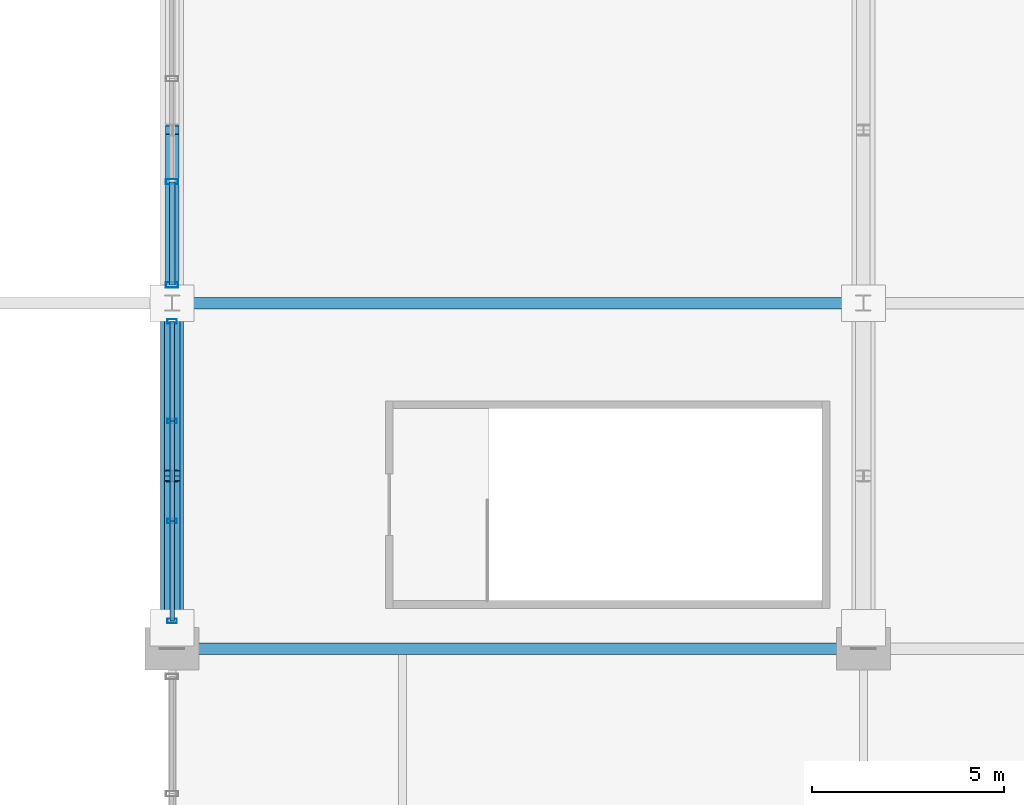
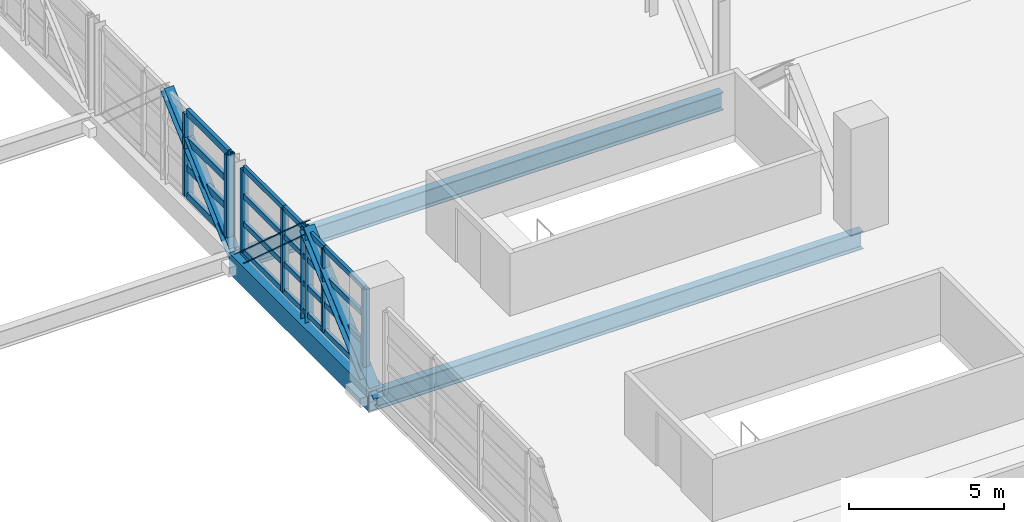
# One storey, part 25 of 136: 26 members, 3 beams, 2 elements without a shape of their own.
"""IFC4 building model written with IfcOpenShell, lengths in metres."""

from ifc_helpers import new_model, si_unit, direction, frame, origin, origin_2d, place, context, subcontext, project, spatial, hollow_rectangle, i_section, extrude, material, material_profile, profile_set, type_object, element, aggregate, save


model = new_model("IFC4")

# Units and contexts
model_context = context("Model", 3, precision=1e-05, world=origin(), true_north=direction((0.0, 1.0)))
body_context = subcontext(model_context, "Body", "Model", "MODEL_VIEW")
ifc_project = project(units=[si_unit("LENGTHUNIT", "METRE"), si_unit("AREAUNIT", "SQUARE_METRE"), si_unit("VOLUMEUNIT", "CUBIC_METRE"), si_unit("PLANEANGLEUNIT", "RADIAN"), si_unit("MASSUNIT", "GRAM", prefix="KILO")], contexts=[model_context])

# Site, building, storey
site_placement = place(None, origin())
site = spatial("IfcSite", under=ifc_project, at=site_placement, CompositionType="ELEMENT")
building_placement = place(site_placement, origin())
building = spatial("IfcBuilding", under=site, at=building_placement, Name="Chuanluo Vaults Station", CompositionType="ELEMENT")
storey_placement = place(building_placement, frame((0.0, 0.0, 6.60009765625)))
storey = spatial("IfcBuildingStorey", under=building, at=storey_placement, Name="L01", CompositionType="ELEMENT", Elevation=6.60009765625)

# Beams
ifc_material_1 = material(Name="Steel Q355C", Category="steel")
ifc_material_profile_1 = material_profile(ifc_material_1, i_section(OverallWidth=0.300048828125, OverallDepth=0.699951171875, WebThickness=0.012939453125, FlangeThickness=0.02392578125, FilletRadius=0.02197265625, at=origin_2d()))
ifc_profile_set_1 = profile_set([ifc_material_profile_1], Name="Steel Q355C")
beam_type_1 = type_object("IfcBeamType", Name="BM-GRD-700", PredefinedType="USERDEFINED", material=ifc_profile_set_1)
for number, where, z_axis, x_axis, name in (
    (1, (18.0, 67.5, -0.630126953125), (1.0, 0.0, 0.0), (0.0, 1.0, 0.0), "Floor girder BM:GX:L01:0334"),
    (2, (18.0, 76.5, -0.630126953125), (1.0, 0.0, 0.0), (0.0, 1.0, 0.0), "Over-track concourse floor girder 2-76"),
):
    element("IfcBeam", number, at=place(storey_placement, frame(where, z_axis=z_axis, x_axis=x_axis)), inside=storey, type_object=beam_type_1, Name=name, ObjectType="GIRDER", PredefinedType="USERDEFINED", context=body_context, shape_type="SweptSolid", body=[
        extrude(i_section(OverallWidth=0.300048828125, OverallDepth=0.699951171875, WebThickness=0.012939453125, FlangeThickness=0.02392578125, FilletRadius=0.02197265625, at=origin_2d()), origin(), (0.0, 0.0, 1.0), 18.0),
    ])
ifc_material_2 = material(Name="Steel Q390C", Category="steel")
ifc_material_profile_2 = material_profile(ifc_material_2, hollow_rectangle(XDim=0.60009765625, YDim=0.800048828125, WallThickness=0.031982421875, at=origin_2d()))
ifc_profile_set_2 = profile_set([ifc_material_profile_2], Name="Steel Q390C")
beam_type_2 = type_object("IfcBeamType", Name="BM-TT-BOT", PredefinedType="USERDEFINED", material=ifc_profile_set_2)
beam_placement = place(storey_placement, frame((18.0, 67.5, -0.68017578125), z_axis=(0.0, 1.0, 0.0), x_axis=(-1.0, 0.0, 0.0)))
element("IfcBeam", 3, at=beam_placement, inside=storey, type_object=beam_type_2, Name="Transfer truss TT-2 bottom chord 1", ObjectType="GIRDER", PredefinedType="USERDEFINED", context=body_context, shape_type="SweptSolid", body=[
    extrude(hollow_rectangle(XDim=0.60009765625, YDim=0.800048828125, WallThickness=0.031982421875, at=origin_2d()), origin(), (0.0, 0.0, 1.0), 9.0),
])

# Curtain wall, members
ifc_material_3 = material(Name="Anodised aluminium 6063-T6", Category="aluminium")
curtain_wall_type_1 = type_object("IfcCurtainWallType", Name="CW-SYS-23", PredefinedType="NOTDEFINED", material=ifc_material_3)
curtain_wall_1_placement = place(storey_placement, origin())
curtain_wall_1 = element("IfcCurtainWall", 4, at=curtain_wall_1_placement, inside=storey, type_object=curtain_wall_type_1, Name="Over-track west hall CW 67", PredefinedType="NOTDEFINED")
ifc_material_4 = material(Name="Anodised aluminium 6063-T6", Category="aluminium")
ifc_material_profile_3 = material_profile(ifc_material_4, hollow_rectangle(XDim=0.1201171875, YDim=0.25, WallThickness=0.006103515625, at=origin_2d()))
ifc_profile_set_3 = profile_set([ifc_material_profile_3], Name="Anodised aluminium 6063-T6")
member_type_1 = type_object("IfcMemberType", Name="CWM-160", PredefinedType="MULLION", material=ifc_profile_set_3)
member_1_placement = place(storey_placement, frame((18.0, 68.22509765625, 0.0), z_axis=(0.0, 0.0, 1.0), x_axis=(0.0, 1.0, 0.0)))
member_1 = element("IfcMember", 5, at=member_1_placement, type_object=member_type_1, Name="Over-track west hall CW 67 mullion 1", PredefinedType="MULLION", context=body_context, shape_type="SweptSolid", body=[
    extrude(hollow_rectangle(XDim=0.1201171875, YDim=0.25, WallThickness=0.006103515625, at=origin_2d()), origin(), (0.0, 0.0, 1.0), 3.25),
])
member_2_placement = place(storey_placement, frame((18.0, 70.824951171875, 0.0), z_axis=(0.0, 0.0, 1.0), x_axis=(0.0, 1.0, 0.0)))
member_2 = element("IfcMember", 6, at=member_2_placement, type_object=member_type_1, Name="Over-track west hall CW 67 mullion 2", PredefinedType="MULLION", context=body_context, shape_type="SweptSolid", body=[
    extrude(hollow_rectangle(XDim=0.1201171875, YDim=0.25, WallThickness=0.006103515625, at=origin_2d()), origin(), (0.0, 0.0, 1.0), 3.25),
])
member_3_placement = place(storey_placement, frame((18.0, 73.425048828125, 0.0), z_axis=(0.0, 0.0, 1.0), x_axis=(0.0, 1.0, 0.0)))
member_3 = element("IfcMember", 7, at=member_3_placement, type_object=member_type_1, Name="Over-track west hall CW 67 mullion 3", PredefinedType="MULLION", context=body_context, shape_type="SweptSolid", body=[
    extrude(hollow_rectangle(XDim=0.1201171875, YDim=0.25, WallThickness=0.006103515625, at=origin_2d()), origin(), (0.0, 0.0, 1.0), 3.25),
])
member_4_placement = place(storey_placement, frame((18.0, 76.02490234375, 0.0), z_axis=(0.0, 0.0, 1.0), x_axis=(0.0, 1.0, 0.0)))
member_4 = element("IfcMember", 8, at=member_4_placement, type_object=member_type_1, Name="Over-track west hall CW 67 mullion 4", PredefinedType="MULLION", context=body_context, shape_type="SweptSolid", body=[
    extrude(hollow_rectangle(XDim=0.1201171875, YDim=0.25, WallThickness=0.006103515625, at=origin_2d()), origin(), (0.0, 0.0, 1.0), 3.25),
])

ifc_material_5 = material(Name="Anodised aluminium 6063-T6", Category="aluminium")
curtain_wall_type_2 = type_object("IfcCurtainWallType", Name="CW-SYS-25", PredefinedType="NOTDEFINED", material=ifc_material_5)
curtain_wall_2_placement = place(storey_placement, origin())
curtain_wall_2 = element("IfcCurtainWall", 9, at=curtain_wall_2_placement, inside=storey, type_object=curtain_wall_type_2, Name="Over-track west hall CW 76", PredefinedType="NOTDEFINED")
ifc_material_6 = material(Name="Anodised aluminium 6063-T6", Category="aluminium")
ifc_material_profile_4 = material_profile(ifc_material_6, hollow_rectangle(XDim=0.139892578125, YDim=0.320068359375, WallThickness=0.008056640625, at=origin_2d()))
ifc_profile_set_4 = profile_set([ifc_material_profile_4], Name="Anodised aluminium 6063-T6")
member_type_2 = type_object("IfcMemberType", Name="CWM-220", PredefinedType="MULLION", material=ifc_profile_set_4)
member_5_placement = place(storey_placement, frame((18.0, 76.97509765625, 0.0), z_axis=(0.0, 0.0, 1.0), x_axis=(0.0, 1.0, 0.0)))
member_5 = element("IfcMember", 10, at=member_5_placement, type_object=member_type_2, Name="Over-track west hall CW 76 mullion 1", PredefinedType="MULLION", context=body_context, shape_type="SweptSolid", body=[
    extrude(hollow_rectangle(XDim=0.139892578125, YDim=0.320068359375, WallThickness=0.008056640625, at=origin_2d()), origin(), (0.0, 0.0, 1.0), 3.25),
])
member_6_placement = place(storey_placement, frame((18.0, 79.658203125, 0.0), z_axis=(0.0, 0.0, 1.0), x_axis=(0.0, 1.0, 0.0)))
member_6 = element("IfcMember", 11, at=member_6_placement, type_object=member_type_2, Name="Over-track west hall CW 76 mullion 2", PredefinedType="MULLION", context=body_context, shape_type="SweptSolid", body=[
    extrude(hollow_rectangle(XDim=0.139892578125, YDim=0.320068359375, WallThickness=0.008056640625, at=origin_2d()), origin(), (0.0, 0.0, 1.0), 3.25),
])

# Member
ifc_material_7 = material(Name="Anodised aluminium 6063-T6", Category="aluminium")
ifc_material_profile_5 = material_profile(ifc_material_7, hollow_rectangle(XDim=0.1201171875, YDim=0.205078125, WallThickness=0.006103515625, at=origin_2d()))
ifc_profile_set_5 = profile_set([ifc_material_profile_5], Name="Anodised aluminium 6063-T6")
member_type_3 = type_object("IfcMemberType", Name="CWT-130", PredefinedType="USERDEFINED", material=ifc_profile_set_5)
member_7_placement = place(storey_placement, frame((18.0, 68.22509765625, 0.0), z_axis=(0.0, 1.0, 0.0), x_axis=(-1.0, 0.0, 0.0)))
member_7 = element("IfcMember", 12, at=member_7_placement, type_object=member_type_3, Name="Over-track west hall CW 67 transom 1.1", ObjectType="TRANSOM", PredefinedType="USERDEFINED", context=body_context, shape_type="SweptSolid", body=[
    extrude(hollow_rectangle(XDim=0.1201171875, YDim=0.205078125, WallThickness=0.006103515625, at=origin_2d()), origin(), (0.0, 0.0, 1.0), 2.599853515625),
])

member_8_placement = place(storey_placement, frame((18.0, 68.22509765625, 1.083251953125), z_axis=(0.0, 1.0, 0.0), x_axis=(-1.0, 0.0, 0.0)))
member_8 = element("IfcMember", 13, at=member_8_placement, type_object=member_type_3, Name="Over-track west hall CW 67 transom 1.2", ObjectType="TRANSOM", PredefinedType="USERDEFINED", context=body_context, shape_type="SweptSolid", body=[
    extrude(hollow_rectangle(XDim=0.1201171875, YDim=0.205078125, WallThickness=0.006103515625, at=origin_2d()), origin(), (0.0, 0.0, 1.0), 2.599853515625),
])

member_9_placement = place(storey_placement, frame((18.0, 68.22509765625, 2.16650390625), z_axis=(0.0, 1.0, 0.0), x_axis=(-1.0, 0.0, 0.0)))
member_9 = element("IfcMember", 14, at=member_9_placement, type_object=member_type_3, Name="Over-track west hall CW 67 transom 1.3", ObjectType="TRANSOM", PredefinedType="USERDEFINED", context=body_context, shape_type="SweptSolid", body=[
    extrude(hollow_rectangle(XDim=0.1201171875, YDim=0.205078125, WallThickness=0.006103515625, at=origin_2d()), origin(), (0.0, 0.0, 1.0), 2.599853515625),
])

member_10_placement = place(storey_placement, frame((18.0, 68.22509765625, 3.25), z_axis=(0.0, 1.0, 0.0), x_axis=(-1.0, 0.0, 0.0)))
member_10 = element("IfcMember", 15, at=member_10_placement, type_object=member_type_3, Name="Over-track west hall CW 67 transom 1.4", ObjectType="TRANSOM", PredefinedType="USERDEFINED", context=body_context, shape_type="SweptSolid", body=[
    extrude(hollow_rectangle(XDim=0.1201171875, YDim=0.205078125, WallThickness=0.006103515625, at=origin_2d()), origin(), (0.0, 0.0, 1.0), 2.599853515625),
])

member_11_placement = place(storey_placement, frame((18.0, 70.824951171875, 0.0), z_axis=(0.0, 1.0, 0.0), x_axis=(-1.0, 0.0, 0.0)))
member_11 = element("IfcMember", 16, at=member_11_placement, type_object=member_type_3, Name="Over-track west hall CW 67 transom 2.1", ObjectType="TRANSOM", PredefinedType="USERDEFINED", context=body_context, shape_type="SweptSolid", body=[
    extrude(hollow_rectangle(XDim=0.1201171875, YDim=0.205078125, WallThickness=0.006103515625, at=origin_2d()), origin(), (0.0, 0.0, 1.0), 2.60009765625),
])

member_12_placement = place(storey_placement, frame((18.0, 70.824951171875, 1.083251953125), z_axis=(0.0, 1.0, 0.0), x_axis=(-1.0, 0.0, 0.0)))
member_12 = element("IfcMember", 17, at=member_12_placement, type_object=member_type_3, Name="Over-track west hall CW 67 transom 2.2", ObjectType="TRANSOM", PredefinedType="USERDEFINED", context=body_context, shape_type="SweptSolid", body=[
    extrude(hollow_rectangle(XDim=0.1201171875, YDim=0.205078125, WallThickness=0.006103515625, at=origin_2d()), origin(), (0.0, 0.0, 1.0), 2.60009765625),
])

member_13_placement = place(storey_placement, frame((18.0, 70.824951171875, 2.16650390625), z_axis=(0.0, 1.0, 0.0), x_axis=(-1.0, 0.0, 0.0)))
member_13 = element("IfcMember", 18, at=member_13_placement, type_object=member_type_3, Name="Over-track west hall CW 67 transom 2.3", ObjectType="TRANSOM", PredefinedType="USERDEFINED", context=body_context, shape_type="SweptSolid", body=[
    extrude(hollow_rectangle(XDim=0.1201171875, YDim=0.205078125, WallThickness=0.006103515625, at=origin_2d()), origin(), (0.0, 0.0, 1.0), 2.60009765625),
])

member_14_placement = place(storey_placement, frame((18.0, 70.824951171875, 3.25), z_axis=(0.0, 1.0, 0.0), x_axis=(-1.0, 0.0, 0.0)))
member_14 = element("IfcMember", 19, at=member_14_placement, type_object=member_type_3, Name="Over-track west hall CW 67 transom 2.4", ObjectType="TRANSOM", PredefinedType="USERDEFINED", context=body_context, shape_type="SweptSolid", body=[
    extrude(hollow_rectangle(XDim=0.1201171875, YDim=0.205078125, WallThickness=0.006103515625, at=origin_2d()), origin(), (0.0, 0.0, 1.0), 2.60009765625),
])

member_15_placement = place(storey_placement, frame((18.0, 73.425048828125, 0.0), z_axis=(0.0, 1.0, 0.0), x_axis=(-1.0, 0.0, 0.0)))
member_15 = element("IfcMember", 20, at=member_15_placement, type_object=member_type_3, Name="Over-track west hall CW 67 transom 3.1", ObjectType="TRANSOM", PredefinedType="USERDEFINED", context=body_context, shape_type="SweptSolid", body=[
    extrude(hollow_rectangle(XDim=0.1201171875, YDim=0.205078125, WallThickness=0.006103515625, at=origin_2d()), origin(), (0.0, 0.0, 1.0), 2.599853515625),
])

member_16_placement = place(storey_placement, frame((18.0, 73.425048828125, 1.083251953125), z_axis=(0.0, 1.0, 0.0), x_axis=(-1.0, 0.0, 0.0)))
member_16 = element("IfcMember", 21, at=member_16_placement, type_object=member_type_3, Name="Over-track west hall CW 67 transom 3.2", ObjectType="TRANSOM", PredefinedType="USERDEFINED", context=body_context, shape_type="SweptSolid", body=[
    extrude(hollow_rectangle(XDim=0.1201171875, YDim=0.205078125, WallThickness=0.006103515625, at=origin_2d()), origin(), (0.0, 0.0, 1.0), 2.599853515625),
])

member_17_placement = place(storey_placement, frame((18.0, 73.425048828125, 2.16650390625), z_axis=(0.0, 1.0, 0.0), x_axis=(-1.0, 0.0, 0.0)))
member_17 = element("IfcMember", 22, at=member_17_placement, type_object=member_type_3, Name="Over-track west hall CW 67 transom 3.3", ObjectType="TRANSOM", PredefinedType="USERDEFINED", context=body_context, shape_type="SweptSolid", body=[
    extrude(hollow_rectangle(XDim=0.1201171875, YDim=0.205078125, WallThickness=0.006103515625, at=origin_2d()), origin(), (0.0, 0.0, 1.0), 2.599853515625),
])

member_18_placement = place(storey_placement, frame((18.0, 73.425048828125, 3.25), z_axis=(0.0, 1.0, 0.0), x_axis=(-1.0, 0.0, 0.0)))
member_18 = element("IfcMember", 23, at=member_18_placement, type_object=member_type_3, Name="Over-track west hall CW 67 transom 3.4", ObjectType="TRANSOM", PredefinedType="USERDEFINED", context=body_context, shape_type="SweptSolid", body=[
    extrude(hollow_rectangle(XDim=0.1201171875, YDim=0.205078125, WallThickness=0.006103515625, at=origin_2d()), origin(), (0.0, 0.0, 1.0), 2.599853515625),
])

aggregate(curtain_wall_1, [member_1, member_2, member_3, member_4, member_7, member_8, member_9, member_10, member_11, member_12, member_13, member_14, member_15, member_16, member_17, member_18])

ifc_material_8 = material(Name="Anodised aluminium 6063-T6", Category="aluminium")
ifc_material_profile_6 = material_profile(ifc_material_8, hollow_rectangle(XDim=0.139892578125, YDim=0.260009765625, WallThickness=0.007080078125, at=origin_2d()))
ifc_profile_set_6 = profile_set([ifc_material_profile_6], Name="Anodised aluminium 6063-T6")
member_type_4 = type_object("IfcMemberType", Name="CWT-180", PredefinedType="USERDEFINED", material=ifc_profile_set_6)
member_19_placement = place(storey_placement, frame((18.0, 76.97509765625, 0.0), z_axis=(0.0, 1.0, 0.0), x_axis=(-1.0, 0.0, 0.0)))
member_19 = element("IfcMember", 24, at=member_19_placement, type_object=member_type_4, Name="Over-track west hall CW 76 transom 1.1", ObjectType="TRANSOM", PredefinedType="USERDEFINED", context=body_context, shape_type="SweptSolid", body=[
    extrude(hollow_rectangle(XDim=0.139892578125, YDim=0.260009765625, WallThickness=0.007080078125, at=origin_2d()), origin(), (0.0, 0.0, 1.0), 2.68310546875),
])

member_20_placement = place(storey_placement, frame((18.0, 76.97509765625, 1.083251953125), z_axis=(0.0, 1.0, 0.0), x_axis=(-1.0, 0.0, 0.0)))
member_20 = element("IfcMember", 25, at=member_20_placement, type_object=member_type_4, Name="Over-track west hall CW 76 transom 1.2", ObjectType="TRANSOM", PredefinedType="USERDEFINED", context=body_context, shape_type="SweptSolid", body=[
    extrude(hollow_rectangle(XDim=0.139892578125, YDim=0.260009765625, WallThickness=0.007080078125, at=origin_2d()), origin(), (0.0, 0.0, 1.0), 2.68310546875),
])

member_21_placement = place(storey_placement, frame((18.0, 76.97509765625, 2.16650390625), z_axis=(0.0, 1.0, 0.0), x_axis=(-1.0, 0.0, 0.0)))
member_21 = element("IfcMember", 26, at=member_21_placement, type_object=member_type_4, Name="Over-track west hall CW 76 transom 1.3", ObjectType="TRANSOM", PredefinedType="USERDEFINED", context=body_context, shape_type="SweptSolid", body=[
    extrude(hollow_rectangle(XDim=0.139892578125, YDim=0.260009765625, WallThickness=0.007080078125, at=origin_2d()), origin(), (0.0, 0.0, 1.0), 2.68310546875),
])

member_22_placement = place(storey_placement, frame((18.0, 76.97509765625, 3.25), z_axis=(0.0, 1.0, 0.0), x_axis=(-1.0, 0.0, 0.0)))
member_22 = element("IfcMember", 27, at=member_22_placement, type_object=member_type_4, Name="Over-track west hall CW 76 transom 1.4", ObjectType="TRANSOM", PredefinedType="USERDEFINED", context=body_context, shape_type="SweptSolid", body=[
    extrude(hollow_rectangle(XDim=0.139892578125, YDim=0.260009765625, WallThickness=0.007080078125, at=origin_2d()), origin(), (0.0, 0.0, 1.0), 2.68310546875),
])

aggregate(curtain_wall_2, [member_5, member_6, member_19, member_20, member_21, member_22])

# Members
ifc_material_9 = material(Name="Steel Q390C", Category="steel")
ifc_material_profile_7 = material_profile(ifc_material_9, i_section(OverallWidth=0.35009765625, OverallDepth=0.35009765625, WebThickness=0.011962890625, FlangeThickness=0.01904296875, FilletRadius=0.02001953125, at=origin_2d()))
ifc_profile_set_7 = profile_set([ifc_material_profile_7], Name="Steel Q390C")
member_type_5 = type_object("IfcMemberType", Name="MEM-DIAG-350", PredefinedType="BRACE", material=ifc_profile_set_7)
member_23_placement = place(storey_placement, frame((18.0, 76.5, -0.68017578125), z_axis=(0.0, 0.744935757439, 0.667136205949), x_axis=(-1.0, 0.0, 0.0)))
element("IfcMember", 28, at=member_23_placement, inside=storey, type_object=member_type_5, Name="Transfer truss TT-2 diagonal 2A", PredefinedType="BRACE", context=body_context, shape_type="SweptSolid", body=[
    extrude(i_section(OverallWidth=0.35009765625, OverallDepth=0.35009765625, WebThickness=0.011962890625, FlangeThickness=0.01904296875, FilletRadius=0.02001953125, at=origin_2d()), origin(), (0.0, 0.0, 1.0), 6.040771484375),
])
ifc_material_10 = material(Name="Steel Q390C", Category="steel")
ifc_material_profile_8 = material_profile(ifc_material_10, i_section(OverallWidth=0.39990234375, OverallDepth=0.407958984375, WebThickness=0.02099609375, FlangeThickness=0.02099609375, FilletRadius=0.02197265625, at=origin_2d()))
ifc_profile_set_8 = profile_set([ifc_material_profile_8], Name="Steel Q390C")
member_type_6 = type_object("IfcMemberType", Name="MEM-DIAG-408", PredefinedType="BRACE", material=ifc_profile_set_8)
for number, where, z_axis, x_axis, name in (
    (29, (18.0, 67.5, -0.68017578125), (0.0, 0.744935757439, 0.667136205949), (-1.0, 0.0, 0.0), "Transfer truss TT-2 diagonal 1A"),
    (30, (18.0, 72.0, 3.349853515625), (0.0, 0.744935757439, -0.667136205949), (-1.0, 0.0, 0.0), "Transfer truss TT-2 diagonal 1B"),
):
    element("IfcMember", number, at=place(storey_placement, frame(where, z_axis=z_axis, x_axis=x_axis)), inside=storey, type_object=member_type_6, Name=name, PredefinedType="BRACE", context=body_context, shape_type="SweptSolid", body=[
        extrude(i_section(OverallWidth=0.39990234375, OverallDepth=0.407958984375, WebThickness=0.02099609375, FlangeThickness=0.02099609375, FilletRadius=0.02197265625, at=origin_2d()), origin(), (0.0, 0.0, 1.0), 6.040771484375),
    ])
ifc_material_11 = material(Name="Steel Q390C", Category="steel")
ifc_material_profile_9 = material_profile(ifc_material_11, i_section(OverallWidth=0.300048828125, OverallDepth=0.300048828125, WebThickness=0.010009765625, FlangeThickness=0.014892578125, FilletRadius=0.01806640625, at=origin_2d()))
ifc_profile_set_9 = profile_set([ifc_material_profile_9], Name="Steel Q390C")
member_type_7 = type_object("IfcMemberType", Name="MEM-VERT-300", PredefinedType="POST", material=ifc_profile_set_9)
member_24_placement = place(storey_placement, frame((18.0, 72.0, -0.68017578125), z_axis=(0.0, 0.0, 1.0), x_axis=(1.0, 0.0, 0.0)))
element("IfcMember", 31, at=member_24_placement, inside=storey, type_object=member_type_7, Name="Transfer truss TT-2 mid-panel hanger 1", PredefinedType="POST", context=body_context, shape_type="SweptSolid", body=[
    extrude(i_section(OverallWidth=0.300048828125, OverallDepth=0.300048828125, WebThickness=0.010009765625, FlangeThickness=0.014892578125, FilletRadius=0.01806640625, at=origin_2d()), origin(), (0.0, 0.0, 1.0), 4.030029296875),
])

save(model, "model.ifc")
